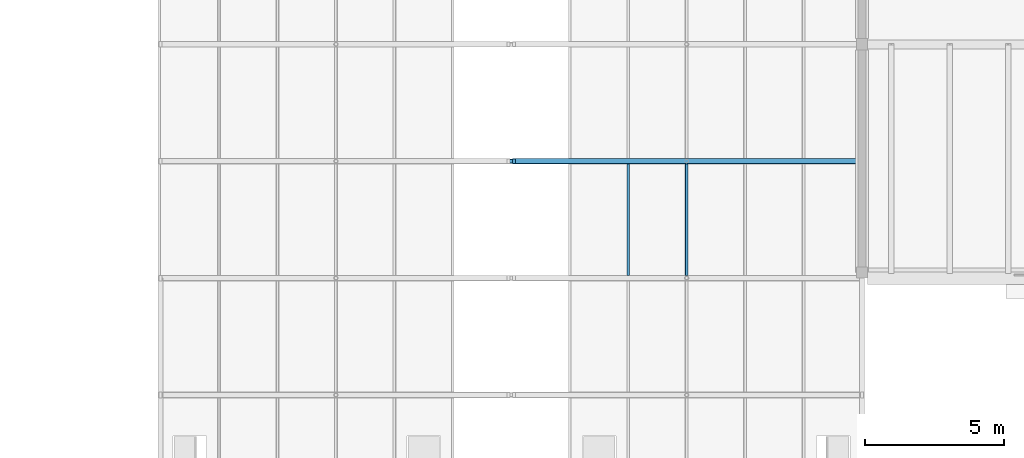
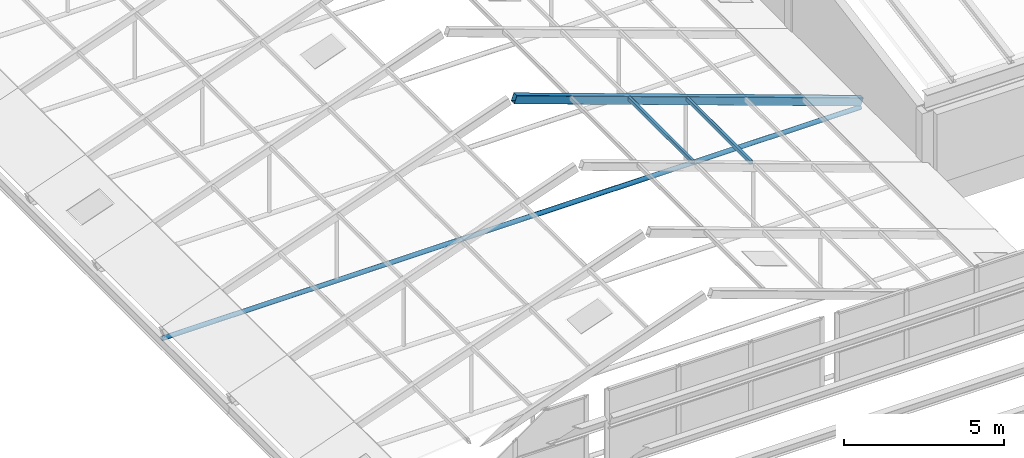
# One storey, part 34 of 116: 4 members.
"""IFC4 building model written with IfcOpenShell, lengths in metres."""

from ifc_helpers import new_model, si_unit, direction, frame, origin, origin_2d, place, context, subcontext, project, spatial, hollow_rectangle, hollow_circle, extrude, material, material_profile, profile_set, type_object, element, save


model = new_model("IFC4")

# Units and contexts
model_context = context("Model", 3, precision=1e-05, world=origin(), true_north=direction((0.0, 1.0)))
body_context = subcontext(model_context, "Body", "Model", "MODEL_VIEW")
ifc_project = project(units=[si_unit("LENGTHUNIT", "METRE"), si_unit("AREAUNIT", "SQUARE_METRE"), si_unit("VOLUMEUNIT", "CUBIC_METRE"), si_unit("PLANEANGLEUNIT", "RADIAN"), si_unit("MASSUNIT", "GRAM", prefix="KILO")], contexts=[model_context])

# Site, building, storey
site_placement = place(None, origin())
site = spatial("IfcSite", under=ifc_project, at=site_placement, CompositionType="ELEMENT")
building_placement = place(site_placement, origin())
building = spatial("IfcBuilding", under=site, at=building_placement, Name="Fescue Hill Polytechnic", CompositionType="ELEMENT")
storey_placement = place(building_placement, frame((0.0, 0.0, 13.5)))
storey = spatial("IfcBuildingStorey", under=building, at=storey_placement, Name="L03", CompositionType="ELEMENT", Elevation=13.5)

# Members
ifc_material = material(Name="Steel 350W (350 MPa)", Category="steel")
ifc_material_profile_1 = material_profile(ifc_material, hollow_rectangle(XDim=0.1015625, YDim=0.15234375, WallThickness=0.00634765625, InnerFilletRadius=0.00634765625, OuterFilletRadius=0.0126953125, at=origin_2d()), Name="Winter garden glazing purlin HSS 152x102x6.4")
ifc_profile_set_1 = profile_set([ifc_material_profile_1], Name="Steel 350W (350 MPa)")
member_type_1 = type_object("IfcMemberType", Name="Winter garden glazing purlin HSS 152x102x6.4", PredefinedType="PURLIN", material=ifc_profile_set_1)
for number, where, z_axis, x_axis, name in (
    (1, (111.30029296875, 58.901611328125, 2.914306640625), (0.0, 1.0, 0.0), (-1.0, 0.0, 0.0), "Winter garden glazing purlin E3 bay 3"),
    (2, (109.200439453125, 58.901611328125, 3.664306640625), (0.0, 1.0, 0.0), (-1.0, 0.0, 0.0), "Winter garden glazing purlin E4 bay 3"),
):
    element("IfcMember", number, at=place(storey_placement, frame(where, z_axis=z_axis, x_axis=x_axis)), inside=storey, type_object=member_type_1, Name=name, PredefinedType="PURLIN", context=body_context, shape_type="SweptSolid", body=[
        extrude(hollow_rectangle(XDim=0.1015625, YDim=0.15234375, WallThickness=0.00634765625, InnerFilletRadius=0.00634765625, OuterFilletRadius=0.0126953125, at=origin_2d()), origin(), (0.0, 0.0, 1.0), 3.996826171875),
    ])
ifc_material_profile_2 = material_profile(ifc_material, hollow_rectangle(XDim=0.203125, YDim=0.3046875, WallThickness=0.009521484375, InnerFilletRadius=0.009521484375, OuterFilletRadius=0.01904296875, at=origin_2d()), Name="Winter garden rafter HSS 305x203x9.5")
ifc_profile_set_2 = profile_set([ifc_material_profile_2], Name="Steel 350W (350 MPa)")
member_type_2 = type_object("IfcMemberType", Name="Winter garden rafter HSS 305x203x9.5", PredefinedType="RAFTER", material=ifc_profile_set_2)
member_1_placement = place(storey_placement, frame((117.60009765625, 63.0, 0.578857421875), z_axis=(-0.941740247025, 0.0, 0.336341057756), x_axis=(0.0, -1.0, 0.0)))
element("IfcMember", 3, at=member_1_placement, inside=storey, type_object=member_type_2, Name="Winter garden rafter E4", PredefinedType="RAFTER", context=body_context, shape_type="SweptSolid", body=[
    extrude(hollow_rectangle(XDim=0.203125, YDim=0.3046875, WallThickness=0.009521484375, InnerFilletRadius=0.009521484375, OuterFilletRadius=0.01904296875, at=origin_2d()), origin(), (0.0, 0.0, 1.0), 13.273193359375),
])
ifc_material_profile_3 = material_profile(ifc_material, hollow_circle(Radius=0.084228515625, WallThickness=0.009521484375, at=origin_2d()), Name="Winter garden tie CHS 168x9.5")
ifc_profile_set_3 = profile_set([ifc_material_profile_3], Name="Steel 350W (350 MPa)")
member_type_3 = type_object("IfcMemberType", Name="Winter garden tie CHS 168x9.5", PredefinedType="STRUT", material=ifc_profile_set_3)
member_2_placement = place(storey_placement, frame((92.39990234375, 63.0, 0.332763671875), z_axis=(1.0, 0.0, 0.0), x_axis=(0.0, 1.0, 0.0)))
element("IfcMember", 4, at=member_2_placement, inside=storey, type_object=member_type_3, Name="Winter garden tie 4", PredefinedType="STRUT", context=body_context, shape_type="SweptSolid", body=[
    extrude(hollow_circle(Radius=0.084228515625, WallThickness=0.009521484375, at=origin_2d()), origin(), (0.0, 0.0, 1.0), 25.2001953125),
])

save(model, "model.ifc")
